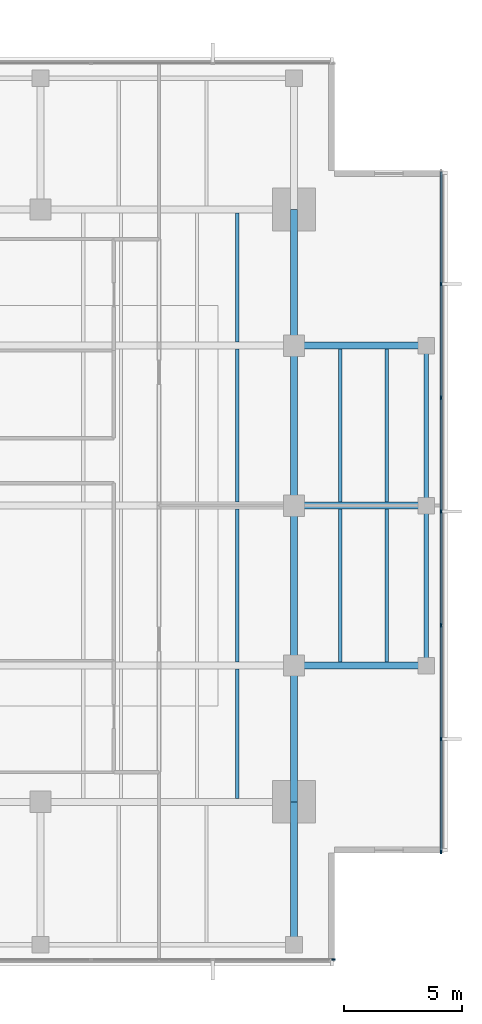
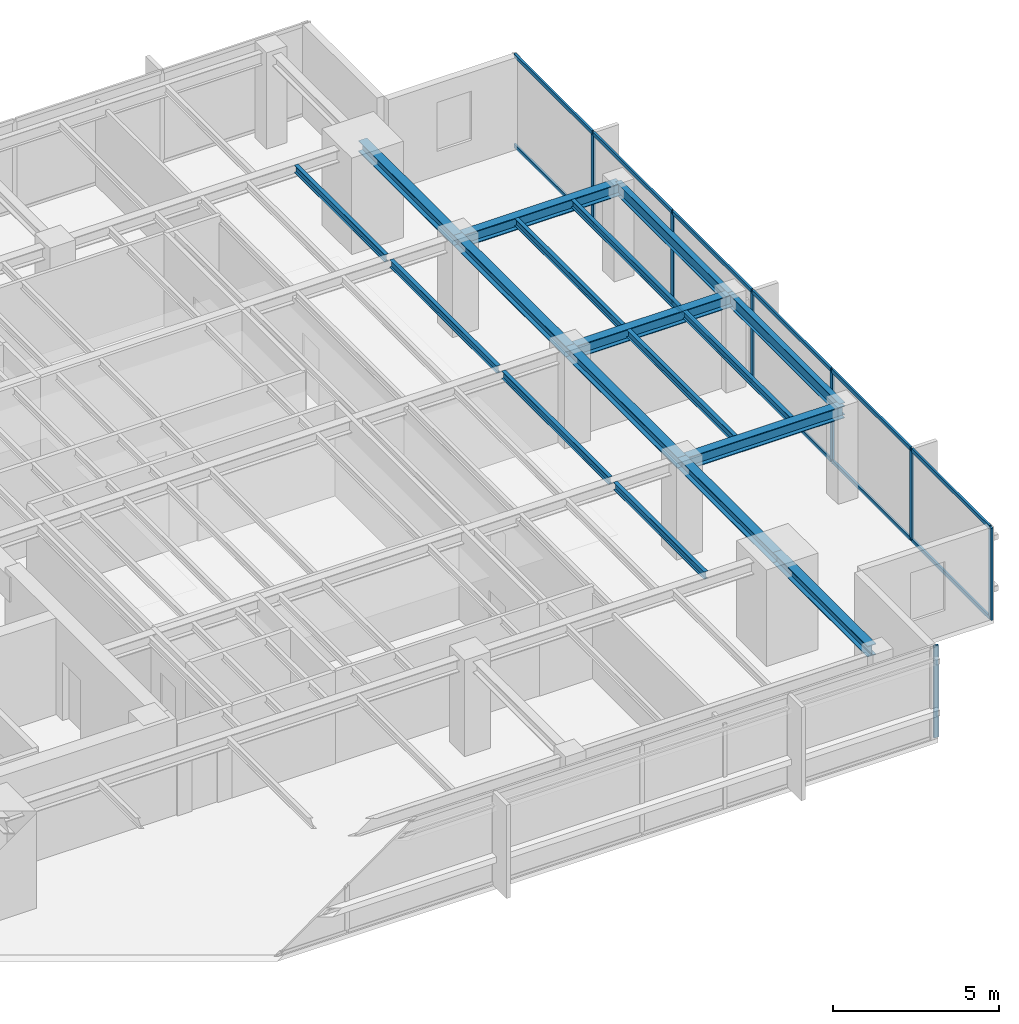
# One storey, part 4 of 14: 19 members, 18 beams, 2 elements without a shape of their own.
"""IFC4 building model written with IfcOpenShell, lengths in metres."""

from ifc_helpers import new_model, si_unit, direction, frame, origin, origin_2d, place, context, subcontext, project, spatial, rectangle, i_section, extrude, material, layer, layer_set, material_profile, profile_set, type_object, element, aggregate, save


model = new_model("IFC4")

# Units and contexts
model_context = context("Model", 3, precision=1e-05, world=origin(), true_north=direction((0.0, 1.0)))
body_context = subcontext(model_context, "Body", "Model", "MODEL_VIEW")
ifc_project = project(units=[si_unit("LENGTHUNIT", "METRE"), si_unit("AREAUNIT", "SQUARE_METRE"), si_unit("VOLUMEUNIT", "CUBIC_METRE"), si_unit("PLANEANGLEUNIT", "RADIAN"), si_unit("MASSUNIT", "GRAM", prefix="KILO")], contexts=[model_context])

# Site, building, storey
site_placement = place(None, origin())
site = spatial("IfcSite", under=ifc_project, at=site_placement, CompositionType="ELEMENT")
building_placement = place(site_placement, origin())
building = spatial("IfcBuilding", under=site, at=building_placement, Name="Kinhvarn Gate Tower", CompositionType="ELEMENT")
storey_placement = place(building_placement, frame((0.0, 0.0, 259.89990234375)))
storey = spatial("IfcBuildingStorey", under=building, at=storey_placement, Name="L69", CompositionType="ELEMENT", Elevation=259.89990234375)

# Curtain wall, member
ifc_material_1 = material(Name="Anodised aluminium AW-6063", Category="aluminium")
ifc_layer = layer(ifc_material_1, 0.179931640625)
ifc_layer_set = layer_set([ifc_layer], Name="Anodised aluminium AW-6063")
curtain_wall_type = type_object("IfcCurtainWallType", Name="CW-SYS-3", PredefinedType="NOTDEFINED", material=ifc_layer_set)
curtain_wall_1_placement = place(storey_placement, origin())
curtain_wall_1 = element("IfcCurtainWall", 1, at=curtain_wall_1_placement, inside=storey, type_object=curtain_wall_type, Name="Curtain Wall CW3 (L69)", PredefinedType="NOTDEFINED")
ifc_material_profile_1 = material_profile(ifc_material_1, rectangle(XDim=0.06494140625, YDim=0.159912109375, at=origin_2d()), Name="ALU 65x160")
ifc_profile_set_1 = profile_set([ifc_material_profile_1], Name="Anodised aluminium AW-6063")
member_type_1 = type_object("IfcMemberType", Name="CW-MUL-160", PredefinedType="MULLION", material=ifc_profile_set_1)
member_1_placement = place(storey_placement, frame((39.867431640625, 6.090087890625, 0.0), z_axis=(0.0, 0.0, 1.0), x_axis=(0.0, 1.0, 0.0)))
member_1 = element("IfcMember", 2, at=member_1_placement, type_object=member_type_1, Name="CW3 mullion 7", PredefinedType="MULLION", context=body_context, shape_type="SweptSolid", body=[
    extrude(rectangle(XDim=0.06494140625, YDim=0.159912109375, at=origin_2d()), origin(), (0.0, 0.0, 1.0), 3.39013671875),
])
aggregate(curtain_wall_1, [member_1])

# Curtain wall, members
curtain_wall_2_placement = place(storey_placement, origin())
curtain_wall_2 = element("IfcCurtainWall", 3, at=curtain_wall_2_placement, inside=storey, type_object=curtain_wall_type, Name="Curtain Wall CW3 (L69)", PredefinedType="NOTDEFINED")
member_2_placement = place(storey_placement, frame((44.409912109375, 10.632568359375, 0.0), z_axis=(0.0, 0.0, 1.0), x_axis=(-1.0, 0.0, 0.0)))
member_2 = element("IfcMember", 4, at=member_2_placement, type_object=member_type_1, Name="CW3 mullion 1", PredefinedType="MULLION", context=body_context, shape_type="SweptSolid", body=[
    extrude(rectangle(XDim=0.06494140625, YDim=0.159912109375, at=origin_2d()), origin(), (0.0, 0.0, 1.0), 3.39013671875),
])
member_3_placement = place(storey_placement, frame((44.409912109375, 15.39990234375, 0.0), z_axis=(0.0, 0.0, 1.0), x_axis=(-1.0, 0.0, 0.0)))
member_3 = element("IfcMember", 5, at=member_3_placement, type_object=member_type_1, Name="CW3 mullion 2", PredefinedType="MULLION", context=body_context, shape_type="SweptSolid", body=[
    extrude(rectangle(XDim=0.06494140625, YDim=0.159912109375, at=origin_2d()), origin(), (0.0, 0.0, 1.0), 3.39013671875),
])
member_4_placement = place(storey_placement, frame((44.409912109375, 20.199951171875, 0.0), z_axis=(0.0, 0.0, 1.0), x_axis=(-1.0, 0.0, 0.0)))
member_4 = element("IfcMember", 6, at=member_4_placement, type_object=member_type_1, Name="CW3 mullion 3", PredefinedType="MULLION", context=body_context, shape_type="SweptSolid", body=[
    extrude(rectangle(XDim=0.06494140625, YDim=0.159912109375, at=origin_2d()), origin(), (0.0, 0.0, 1.0), 3.39013671875),
])
member_5_placement = place(storey_placement, frame((44.409912109375, 25.0, 0.0), z_axis=(0.0, 0.0, 1.0), x_axis=(-1.0, 0.0, 0.0)))
member_5 = element("IfcMember", 7, at=member_5_placement, type_object=member_type_1, Name="CW3 mullion 4", PredefinedType="MULLION", context=body_context, shape_type="SweptSolid", body=[
    extrude(rectangle(XDim=0.06494140625, YDim=0.159912109375, at=origin_2d()), origin(), (0.0, 0.0, 1.0), 3.39013671875),
])
member_6_placement = place(storey_placement, frame((44.409912109375, 29.800048828125, 0.0), z_axis=(0.0, 0.0, 1.0), x_axis=(-1.0, 0.0, 0.0)))
member_6 = element("IfcMember", 8, at=member_6_placement, type_object=member_type_1, Name="CW3 mullion 5", PredefinedType="MULLION", context=body_context, shape_type="SweptSolid", body=[
    extrude(rectangle(XDim=0.06494140625, YDim=0.159912109375, at=origin_2d()), origin(), (0.0, 0.0, 1.0), 3.39013671875),
])
member_7_placement = place(storey_placement, frame((44.409912109375, 34.60009765625, 0.0), z_axis=(0.0, 0.0, 1.0), x_axis=(-1.0, 0.0, 0.0)))
member_7 = element("IfcMember", 9, at=member_7_placement, type_object=member_type_1, Name="CW3 mullion 6", PredefinedType="MULLION", context=body_context, shape_type="SweptSolid", body=[
    extrude(rectangle(XDim=0.06494140625, YDim=0.159912109375, at=origin_2d()), origin(), (0.0, 0.0, 1.0), 3.39013671875),
])
ifc_material_profile_2 = material_profile(ifc_material_1, rectangle(XDim=0.070068359375, YDim=0.139892578125, at=origin_2d()), Name="ALU 70x140")
ifc_profile_set_2 = profile_set([ifc_material_profile_2], Name="Anodised aluminium AW-6063")
member_type_2 = type_object("IfcMemberType", Name="CW-TRN-140", PredefinedType="USERDEFINED", material=ifc_profile_set_2)
member_8_placement = place(storey_placement, frame((44.409912109375, 10.6650390625, 0.03515625), z_axis=(0.0, 1.0, 0.0), x_axis=(-1.0, 0.0, 0.0)))
member_8 = element("IfcMember", 10, at=member_8_placement, type_object=member_type_2, Name="CW3 transom 1.1", ObjectType="TRANSOM", PredefinedType="USERDEFINED", context=body_context, shape_type="SweptSolid", body=[
    extrude(rectangle(XDim=0.070068359375, YDim=0.139892578125, at=origin_2d()), origin(), (0.0, 0.0, 1.0), 4.702392578125),
])
member_9_placement = place(storey_placement, frame((44.409912109375, 10.6650390625, 3.35498046875), z_axis=(0.0, 1.0, 0.0), x_axis=(-1.0, 0.0, 0.0)))
member_9 = element("IfcMember", 11, at=member_9_placement, type_object=member_type_2, Name="CW3 transom 1.2", ObjectType="TRANSOM", PredefinedType="USERDEFINED", context=body_context, shape_type="SweptSolid", body=[
    extrude(rectangle(XDim=0.070068359375, YDim=0.139892578125, at=origin_2d()), origin(), (0.0, 0.0, 1.0), 4.702392578125),
])
member_10_placement = place(storey_placement, frame((44.409912109375, 15.4326171875, 0.03515625), z_axis=(0.0, 1.0, 0.0), x_axis=(-1.0, 0.0, 0.0)))
member_10 = element("IfcMember", 12, at=member_10_placement, type_object=member_type_2, Name="CW3 transom 2.1", ObjectType="TRANSOM", PredefinedType="USERDEFINED", context=body_context, shape_type="SweptSolid", body=[
    extrude(rectangle(XDim=0.070068359375, YDim=0.139892578125, at=origin_2d()), origin(), (0.0, 0.0, 1.0), 4.73486328125),
])
member_11_placement = place(storey_placement, frame((44.409912109375, 15.4326171875, 3.35498046875), z_axis=(0.0, 1.0, 0.0), x_axis=(-1.0, 0.0, 0.0)))
member_11 = element("IfcMember", 13, at=member_11_placement, type_object=member_type_2, Name="CW3 transom 2.2", ObjectType="TRANSOM", PredefinedType="USERDEFINED", context=body_context, shape_type="SweptSolid", body=[
    extrude(rectangle(XDim=0.070068359375, YDim=0.139892578125, at=origin_2d()), origin(), (0.0, 0.0, 1.0), 4.73486328125),
])
member_12_placement = place(storey_placement, frame((44.409912109375, 20.232421875, 0.03515625), z_axis=(0.0, 1.0, 0.0), x_axis=(-1.0, 0.0, 0.0)))
member_12 = element("IfcMember", 14, at=member_12_placement, type_object=member_type_2, Name="CW3 transom 3.1", ObjectType="TRANSOM", PredefinedType="USERDEFINED", context=body_context, shape_type="SweptSolid", body=[
    extrude(rectangle(XDim=0.070068359375, YDim=0.139892578125, at=origin_2d()), origin(), (0.0, 0.0, 1.0), 4.735107421875),
])
member_13_placement = place(storey_placement, frame((44.409912109375, 20.232421875, 3.35498046875), z_axis=(0.0, 1.0, 0.0), x_axis=(-1.0, 0.0, 0.0)))
member_13 = element("IfcMember", 15, at=member_13_placement, type_object=member_type_2, Name="CW3 transom 3.2", ObjectType="TRANSOM", PredefinedType="USERDEFINED", context=body_context, shape_type="SweptSolid", body=[
    extrude(rectangle(XDim=0.070068359375, YDim=0.139892578125, at=origin_2d()), origin(), (0.0, 0.0, 1.0), 4.735107421875),
])
member_14_placement = place(storey_placement, frame((44.409912109375, 25.032470703125, 0.03515625), z_axis=(0.0, 1.0, 0.0), x_axis=(-1.0, 0.0, 0.0)))
member_14 = element("IfcMember", 16, at=member_14_placement, type_object=member_type_2, Name="CW3 transom 4.1", ObjectType="TRANSOM", PredefinedType="USERDEFINED", context=body_context, shape_type="SweptSolid", body=[
    extrude(rectangle(XDim=0.070068359375, YDim=0.139892578125, at=origin_2d()), origin(), (0.0, 0.0, 1.0), 4.735107421875),
])
member_15_placement = place(storey_placement, frame((44.409912109375, 25.032470703125, 3.35498046875), z_axis=(0.0, 1.0, 0.0), x_axis=(-1.0, 0.0, 0.0)))
member_15 = element("IfcMember", 17, at=member_15_placement, type_object=member_type_2, Name="CW3 transom 4.2", ObjectType="TRANSOM", PredefinedType="USERDEFINED", context=body_context, shape_type="SweptSolid", body=[
    extrude(rectangle(XDim=0.070068359375, YDim=0.139892578125, at=origin_2d()), origin(), (0.0, 0.0, 1.0), 4.735107421875),
])
member_16_placement = place(storey_placement, frame((44.409912109375, 29.83251953125, 0.03515625), z_axis=(0.0, 1.0, 0.0), x_axis=(-1.0, 0.0, 0.0)))
member_16 = element("IfcMember", 18, at=member_16_placement, type_object=member_type_2, Name="CW3 transom 5.1", ObjectType="TRANSOM", PredefinedType="USERDEFINED", context=body_context, shape_type="SweptSolid", body=[
    extrude(rectangle(XDim=0.070068359375, YDim=0.139892578125, at=origin_2d()), origin(), (0.0, 0.0, 1.0), 4.73486328125),
])
member_17_placement = place(storey_placement, frame((44.409912109375, 29.83251953125, 3.35498046875), z_axis=(0.0, 1.0, 0.0), x_axis=(-1.0, 0.0, 0.0)))
member_17 = element("IfcMember", 19, at=member_17_placement, type_object=member_type_2, Name="CW3 transom 5.2", ObjectType="TRANSOM", PredefinedType="USERDEFINED", context=body_context, shape_type="SweptSolid", body=[
    extrude(rectangle(XDim=0.070068359375, YDim=0.139892578125, at=origin_2d()), origin(), (0.0, 0.0, 1.0), 4.73486328125),
])
member_18_placement = place(storey_placement, frame((44.409912109375, 34.632568359375, 0.03515625), z_axis=(0.0, 1.0, 0.0), x_axis=(-1.0, 0.0, 0.0)))
member_18 = element("IfcMember", 20, at=member_18_placement, type_object=member_type_2, Name="CW3 transom 6.1", ObjectType="TRANSOM", PredefinedType="USERDEFINED", context=body_context, shape_type="SweptSolid", body=[
    extrude(rectangle(XDim=0.070068359375, YDim=0.139892578125, at=origin_2d()), origin(), (0.0, 0.0, 1.0), 4.702392578125),
])
member_19_placement = place(storey_placement, frame((44.409912109375, 34.632568359375, 3.35498046875), z_axis=(0.0, 1.0, 0.0), x_axis=(-1.0, 0.0, 0.0)))
member_19 = element("IfcMember", 21, at=member_19_placement, type_object=member_type_2, Name="CW3 transom 6.2", ObjectType="TRANSOM", PredefinedType="USERDEFINED", context=body_context, shape_type="SweptSolid", body=[
    extrude(rectangle(XDim=0.070068359375, YDim=0.139892578125, at=origin_2d()), origin(), (0.0, 0.0, 1.0), 4.702392578125),
])
aggregate(curtain_wall_2, [member_2, member_3, member_4, member_5, member_6, member_7, member_8, member_9, member_10, member_11, member_12, member_13, member_14, member_15, member_16, member_17, member_18, member_19])

# Beams
ifc_material_2 = material(Name="Steel S355", Category="steel")
ifc_material_profile_3 = material_profile(ifc_material_2, i_section(OverallWidth=0.300048828125, OverallDepth=0.39990234375, WebThickness=0.013427734375, FlangeThickness=0.02392578125, at=origin_2d()), Name="HEB 400")
ifc_profile_set_3 = profile_set([ifc_material_profile_3], Name="Steel S355")
beam_type_1 = type_object("IfcBeamType", Name="STL-HEB400", PredefinedType="BEAM", material=ifc_profile_set_3)
beam_1_placement = place(storey_placement, frame((38.199951171875, 7.054931640625, 3.190185546875), z_axis=(0.0, 1.0, 0.0), x_axis=(-1.0, 0.0, 0.0)))
element("IfcBeam", 22, at=beam_1_placement, inside=storey, type_object=beam_type_1, Name="Floor Beam PG-12 (L69 MCE-S)", PredefinedType="BEAM", context=body_context, shape_type="SweptSolid", body=[
    extrude(i_section(OverallWidth=0.300048828125, OverallDepth=0.39990234375, WebThickness=0.013427734375, FlangeThickness=0.02392578125, at=origin_2d()), origin(), (0.0, 0.0, 1.0), 5.695068359375),
])
beam_2_placement = place(storey_placement, frame((38.199951171875, 12.75, 3.190185546875), z_axis=(0.0, 1.0, 0.0), x_axis=(-1.0, 0.0, 0.0)))
element("IfcBeam", 23, at=beam_2_placement, inside=storey, type_object=beam_type_1, Name="Floor Beam PG-12 (L69 MG-E-12)", PredefinedType="BEAM", context=body_context, shape_type="SweptSolid", body=[
    extrude(i_section(OverallWidth=0.300048828125, OverallDepth=0.39990234375, WebThickness=0.013427734375, FlangeThickness=0.02392578125, at=origin_2d()), origin(), (0.0, 0.0, 1.0), 5.75),
])
for number, where, z_axis, x_axis, name in (
    (24, (38.199951171875, 18.5, 3.190185546875), (0.0, 1.0, 0.0), (-1.0, 0.0, 0.0), "Floor Beam PG-12 (L69 MG-E-18)"),
    (25, (38.199951171875, 25.25, 3.190185546875), (0.0, 1.0, 0.0), (-1.0, 0.0, 0.0), "Floor Beam PG-12 (L69 MG-E-25)"),
):
    element("IfcBeam", number, at=place(storey_placement, frame(where, z_axis=z_axis, x_axis=x_axis)), inside=storey, type_object=beam_type_1, Name=name, PredefinedType="BEAM", context=body_context, shape_type="SweptSolid", body=[
        extrude(i_section(OverallWidth=0.300048828125, OverallDepth=0.39990234375, WebThickness=0.013427734375, FlangeThickness=0.02392578125, at=origin_2d()), origin(), (0.0, 0.0, 1.0), 6.75),
    ])
beam_3_placement = place(storey_placement, frame((38.199951171875, 32.0, 3.190185546875), z_axis=(0.0, 1.0, 0.0), x_axis=(-1.0, 0.0, 0.0)))
element("IfcBeam", 26, at=beam_3_placement, inside=storey, type_object=beam_type_1, Name="Floor Beam PG-12 (L69 MG-E-32)", PredefinedType="BEAM", context=body_context, shape_type="SweptSolid", body=[
    extrude(i_section(OverallWidth=0.300048828125, OverallDepth=0.39990234375, WebThickness=0.013427734375, FlangeThickness=0.02392578125, at=origin_2d()), origin(), (0.0, 0.0, 1.0), 5.75),
])
ifc_material_profile_4 = material_profile(ifc_material_2, i_section(OverallWidth=0.300048828125, OverallDepth=0.449951171875, WebThickness=0.013916015625, FlangeThickness=0.02587890625, at=origin_2d()), Name="HEB 450")
ifc_profile_set_4 = profile_set([ifc_material_profile_4], Name="Steel S355")
beam_type_2 = type_object("IfcBeamType", Name="STL-HEB450", PredefinedType="BEAM", material=ifc_profile_set_4)
for number, where, z_axis, x_axis, name in (
    (27, (38.199951171875, 18.5, 3.1650390625), (1.0, 0.0, 0.0), (0.0, 1.0, 0.0), "Floor Beam PG-13 (L69 EW2-Y18)"),
    (28, (38.199951171875, 25.25, 3.1650390625), (1.0, 0.0, 0.0), (0.0, 1.0, 0.0), "Floor Beam PG-13 (L69 EW2-Y25)"),
    (29, (38.199951171875, 32.0, 3.1650390625), (1.0, 0.0, 0.0), (0.0, 1.0, 0.0), "Floor Beam PG-13 (L69 EW2-Y32)"),
):
    element("IfcBeam", number, at=place(storey_placement, frame(where, z_axis=z_axis, x_axis=x_axis)), inside=storey, type_object=beam_type_2, Name=name, PredefinedType="BEAM", context=body_context, shape_type="SweptSolid", body=[
        extrude(i_section(OverallWidth=0.300048828125, OverallDepth=0.449951171875, WebThickness=0.013916015625, FlangeThickness=0.02587890625, at=origin_2d()), origin(), (0.0, 0.0, 1.0), 5.580078125),
    ])
ifc_material_profile_5 = material_profile(ifc_material_2, i_section(OverallWidth=0.135009765625, OverallDepth=0.27001953125, WebThickness=0.006591796875, FlangeThickness=0.01025390625, at=origin_2d()), Name="IPE 270")
ifc_profile_set_5 = profile_set([ifc_material_profile_5], Name="Steel S355")
beam_type_3 = type_object("IfcBeamType", Name="STL-IPE270", PredefinedType="JOIST", material=ifc_profile_set_5)
beam_4_placement = place(storey_placement, frame((35.800048828125, 12.89990234375, 3.255126953125), z_axis=(0.0, 1.0, 0.0), x_axis=(-1.0, 0.0, 0.0)))
element("IfcBeam", 30, at=beam_4_placement, inside=storey, type_object=beam_type_3, Name="Floor Joist SB-01 (L69 JC-X358-0)", PredefinedType="JOIST", context=body_context, shape_type="SweptSolid", body=[
    extrude(i_section(OverallWidth=0.135009765625, OverallDepth=0.27001953125, WebThickness=0.006591796875, FlangeThickness=0.01025390625, at=origin_2d()), origin(), (0.0, 0.0, 1.0), 5.4501953125),
])
for number, where, z_axis, x_axis, name in (
    (31, (35.800048828125, 18.64990234375, 3.255126953125), (0.0, 1.0, 0.0), (-1.0, 0.0, 0.0), "Floor Joist SB-01 (L69 JC-X358-1)"),
    (32, (35.800048828125, 25.39990234375, 3.255126953125), (0.0, 1.0, 0.0), (-1.0, 0.0, 0.0), "Floor Joist SB-01 (L69 JC-X358-2)"),
):
    element("IfcBeam", number, at=place(storey_placement, frame(where, z_axis=z_axis, x_axis=x_axis)), inside=storey, type_object=beam_type_3, Name=name, PredefinedType="JOIST", context=body_context, shape_type="SweptSolid", body=[
        extrude(i_section(OverallWidth=0.135009765625, OverallDepth=0.27001953125, WebThickness=0.006591796875, FlangeThickness=0.01025390625, at=origin_2d()), origin(), (0.0, 0.0, 1.0), 6.4501953125),
    ])
beam_5_placement = place(storey_placement, frame((35.800048828125, 32.14990234375, 3.255126953125), z_axis=(0.0, 1.0, 0.0), x_axis=(-1.0, 0.0, 0.0)))
element("IfcBeam", 33, at=beam_5_placement, inside=storey, type_object=beam_type_3, Name="Floor Joist SB-01 (L69 JC-X358-3)", PredefinedType="JOIST", context=body_context, shape_type="SweptSolid", body=[
    extrude(i_section(OverallWidth=0.135009765625, OverallDepth=0.27001953125, WebThickness=0.006591796875, FlangeThickness=0.01025390625, at=origin_2d()), origin(), (0.0, 0.0, 1.0), 5.4501953125),
])
for number, where, z_axis, x_axis, name in (
    (34, (40.14990234375, 18.64990234375, 3.255126953125), (0.0, 1.0, 0.0), (-1.0, 0.0, 0.0), "Floor Joist SB-01 (L69 JC-X401-1)"),
    (35, (40.14990234375, 25.39990234375, 3.255126953125), (0.0, 1.0, 0.0), (-1.0, 0.0, 0.0), "Floor Joist SB-01 (L69 JC-X401-2)"),
    (36, (42.110107421875, 18.64990234375, 3.255126953125), (0.0, 1.0, 0.0), (-1.0, 0.0, 0.0), "Floor Joist SB-01 (L69 JC-X421-1)"),
    (37, (42.110107421875, 25.39990234375, 3.255126953125), (0.0, 1.0, 0.0), (-1.0, 0.0, 0.0), "Floor Joist SB-01 (L69 JC-X421-2)"),
):
    element("IfcBeam", number, at=place(storey_placement, frame(where, z_axis=z_axis, x_axis=x_axis)), inside=storey, type_object=beam_type_3, Name=name, PredefinedType="JOIST", context=body_context, shape_type="SweptSolid", body=[
        extrude(i_section(OverallWidth=0.135009765625, OverallDepth=0.27001953125, WebThickness=0.006591796875, FlangeThickness=0.01025390625, at=origin_2d()), origin(), (0.0, 0.0, 1.0), 6.4501953125),
    ])
ifc_material_profile_6 = material_profile(ifc_material_2, i_section(OverallWidth=0.18994140625, OverallDepth=0.449951171875, WebThickness=0.009521484375, FlangeThickness=0.0146484375, at=origin_2d()), Name="IPE 450")
ifc_profile_set_6 = profile_set([ifc_material_profile_6], Name="Steel S355")
beam_type_4 = type_object("IfcBeamType", Name="STL-IPE450", PredefinedType="JOIST", material=ifc_profile_set_6)
for number, where, z_axis, x_axis, name in (
    (38, (43.780029296875, 18.5, 3.1650390625), (0.0, 1.0, 0.0), (-1.0, 0.0, 0.0), "Floor Joist SB-06 (L69 SP-E2)"),
    (39, (43.780029296875, 25.25, 3.1650390625), (0.0, 1.0, 0.0), (-1.0, 0.0, 0.0), "Floor Joist SB-06 (L69 SP-E3)"),
):
    element("IfcBeam", number, at=place(storey_placement, frame(where, z_axis=z_axis, x_axis=x_axis)), inside=storey, type_object=beam_type_4, Name=name, PredefinedType="JOIST", context=body_context, shape_type="SweptSolid", body=[
        extrude(i_section(OverallWidth=0.18994140625, OverallDepth=0.449951171875, WebThickness=0.009521484375, FlangeThickness=0.0146484375, at=origin_2d()), origin(), (0.0, 0.0, 1.0), 6.75),
    ])

save(model, "model.ifc")
